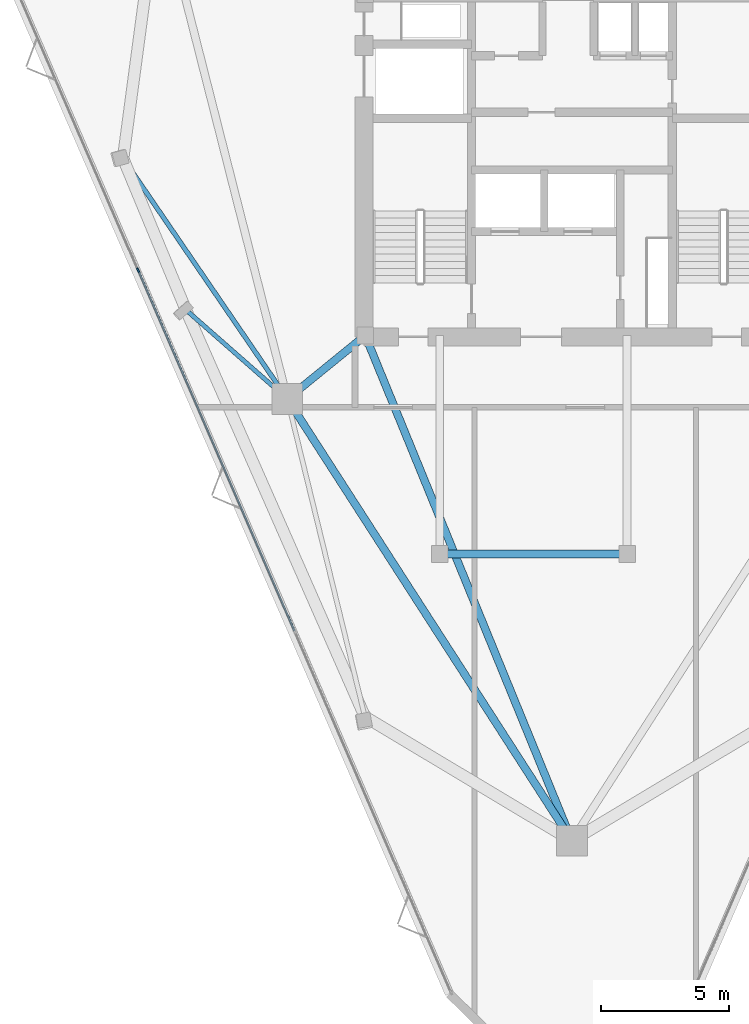
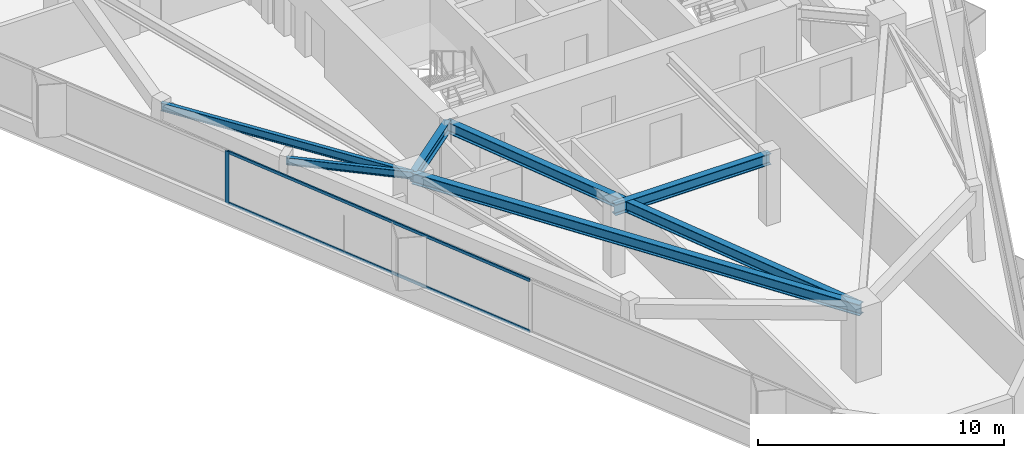
# One storey, part 3 of 11: 6 beams, 3 members, 1 element without a shape of its own.
"""IFC4 building model written with IfcOpenShell, lengths in metres."""

from ifc_helpers import new_model, si_unit, direction, frame, origin, origin_2d, place, context, subcontext, project, spatial, rectangle, i_section, extrude, material, layer, layer_set, material_profile, profile_set, type_object, element, aggregate, save


model = new_model("IFC4")

# Units and contexts
model_context = context("Model", 3, precision=1e-05, world=origin(), true_north=direction((0.0, 1.0)))
body_context = subcontext(model_context, "Body", "Model", "MODEL_VIEW")
ifc_project = project(units=[si_unit("LENGTHUNIT", "METRE"), si_unit("AREAUNIT", "SQUARE_METRE"), si_unit("VOLUMEUNIT", "CUBIC_METRE"), si_unit("PLANEANGLEUNIT", "RADIAN"), si_unit("MASSUNIT", "GRAM", prefix="KILO")], contexts=[model_context])

# Site, building, storey
site_placement = place(None, origin())
site = spatial("IfcSite", under=ifc_project, at=site_placement, CompositionType="ELEMENT")
building_placement = place(site_placement, origin())
building = spatial("IfcBuilding", under=site, at=building_placement, Name="Talyreon Biosciences Tower", CompositionType="ELEMENT")
storey_placement = place(building_placement, frame((0.0, 0.0, 249.85009765625)))
storey = spatial("IfcBuildingStorey", under=building, at=storey_placement, Name="L66", CompositionType="ELEMENT", Elevation=249.85009765625)

# Curtain wall, members
ifc_material_1 = material(Name="Thermally broken aluminium and low-E glazing", Category="aluminium")
ifc_layer = layer(ifc_material_1, 0.175048828125)
ifc_layer_set = layer_set([ifc_layer], Name="Thermally broken aluminium and low-E glazing")
curtain_wall_type = type_object("IfcCurtainWallType", Name="CurtainWall_Zone5CompLab", PredefinedType="NOTDEFINED", material=ifc_layer_set)
curtain_wall_placement = place(storey_placement, origin())
curtain_wall = element("IfcCurtainWall", 1, at=curtain_wall_placement, inside=storey, type_object=curtain_wall_type, Name="L66 Unitised Curtain Wall FCW-L66-00", PredefinedType="NOTDEFINED")
ifc_material_2 = material(Name="Anodised thermally broken aluminium", Category="aluminium")
ifc_material_profile_1 = material_profile(ifc_material_2, rectangle(XDim=0.06494140625, YDim=0.179931640625, at=origin_2d()), Name="ALUM MULLION 65x180")
ifc_profile_set_1 = profile_set([ifc_material_profile_1], Name="Anodised thermally broken aluminium")
member_type_1 = type_object("IfcMemberType", Name="CWMullion_65x180", PredefinedType="MULLION", material=ifc_profile_set_1)
member_1_placement = place(storey_placement, frame((49.099365234375, 63.8994140625, 0.809814453125), z_axis=(0.0, 0.0, 1.0), x_axis=(-0.91758594353, -0.397537465198, 0.0)))
member_1 = element("IfcMember", 2, at=member_1_placement, type_object=member_type_1, Name="CW6 mullion 3", PredefinedType="MULLION", context=body_context, shape_type="SweptSolid", body=[
    extrude(rectangle(XDim=0.06494140625, YDim=0.179931640625, at=origin_2d()), origin(), (0.0, 0.0, 1.0), 2.590087890625),
])
ifc_material_profile_2 = material_profile(ifc_material_2, rectangle(XDim=0.06494140625, YDim=0.139892578125, at=origin_2d()), Name="ALUM TRANSOM 65x140")
ifc_profile_set_2 = profile_set([ifc_material_profile_2], Name="Anodised thermally broken aluminium")
member_type_2 = type_object("IfcMemberType", Name="CWTransom_65x140", PredefinedType="USERDEFINED", material=ifc_profile_set_2)
member_2_placement = place(storey_placement, frame((55.187744140625, 49.846435546875, 0.84228515625), z_axis=(-0.39753705097, 0.917586122991, 0.0), x_axis=(-0.917586122991, -0.39753705097, 0.0)))
member_2 = element("IfcMember", 3, at=member_2_placement, type_object=member_type_2, Name="CW6 transom 2.1", ObjectType="TRANSOM", PredefinedType="USERDEFINED", context=body_context, shape_type="SweptSolid", body=[
    extrude(rectangle(XDim=0.06494140625, YDim=0.139892578125, at=origin_2d()), origin(), (0.0, 0.0, 1.0), 15.28271484375),
])
member_3_placement = place(storey_placement, frame((55.187744140625, 49.846435546875, 3.367431640625), z_axis=(-0.39753705097, 0.917586122991, 0.0), x_axis=(-0.917586122991, -0.39753705097, 0.0)))
member_3 = element("IfcMember", 4, at=member_3_placement, type_object=member_type_2, Name="CW6 transom 2.2", ObjectType="TRANSOM", PredefinedType="USERDEFINED", context=body_context, shape_type="SweptSolid", body=[
    extrude(rectangle(XDim=0.06494140625, YDim=0.139892578125, at=origin_2d()), origin(), (0.0, 0.0, 1.0), 15.28271484375),
])
aggregate(curtain_wall, [member_1, member_2, member_3])

# Beams
ifc_material_3 = material(Name="Steel SM355", Category="steel")
ifc_material_profile_3 = material_profile(ifc_material_3, i_section(OverallWidth=0.300048828125, OverallDepth=0.550048828125, WebThickness=0.014892578125, FlangeThickness=0.029052734375, FilletRadius=0.027099609375, at=origin_2d()), Name="HE550B")
ifc_profile_set_3 = profile_set([ifc_material_profile_3], Name="Steel SM355")
beam_type_1 = type_object("IfcBeamType", Name="SteelBeam_HE550B", PredefinedType="BEAM", material=ifc_profile_set_3)
beam_1_placement = place(storey_placement, frame((54.913818359375, 58.88037109375, 3.125), z_axis=(0.541463723609, -0.840724114092, 0.0), x_axis=(0.840724114092, 0.541463723609, 0.0)))
element("IfcBeam", 5, at=beam_1_placement, inside=storey, type_object=beam_type_1, Name="L66 Mega-Ring Girder 6", PredefinedType="BEAM", context=body_context, shape_type="SweptSolid", body=[
    extrude(i_section(OverallWidth=0.300048828125, OverallDepth=0.550048828125, WebThickness=0.014892578125, FlangeThickness=0.029052734375, FilletRadius=0.027099609375, at=origin_2d()), origin(), (0.0, 0.0, 1.0), 20.474365234375),
])
beam_2_placement = place(storey_placement, frame((57.949951171875, 61.35009765625, 3.125), z_axis=(0.378547014545, -0.925582064314, 0.0), x_axis=(0.925582064314, 0.378547014545, 0.0)))
element("IfcBeam", 6, at=beam_2_placement, inside=storey, type_object=beam_type_1, Name="L66 Radial Primary Girder 1", PredefinedType="BEAM", context=body_context, shape_type="SweptSolid", body=[
    extrude(i_section(OverallWidth=0.300048828125, OverallDepth=0.550048828125, WebThickness=0.014892578125, FlangeThickness=0.029052734375, FilletRadius=0.027099609375, at=origin_2d()), origin(), (0.0, 0.0, 1.0), 21.265625),
])
beam_3_placement = place(storey_placement, frame((57.949951171875, 61.35009765625, 3.125), z_axis=(-0.775755154013, -0.631034025249, 0.0), x_axis=(0.631034025249, -0.775755154013, 0.0)))
element("IfcBeam", 7, at=beam_3_placement, inside=storey, type_object=beam_type_1, Name="L66 Radial Primary Girder 6", PredefinedType="BEAM", context=body_context, shape_type="SweptSolid", body=[
    extrude(i_section(OverallWidth=0.300048828125, OverallDepth=0.550048828125, WebThickness=0.014892578125, FlangeThickness=0.029052734375, FilletRadius=0.027099609375, at=origin_2d()), origin(), (0.0, 0.0, 1.0), 3.913818359375),
])
beam_4_placement = place(storey_placement, frame((60.85009765625, 52.840087890625, 3.125), z_axis=(1.0, 0.0, 0.0), x_axis=(0.0, 1.0, 0.0)))
element("IfcBeam", 8, at=beam_4_placement, inside=storey, type_object=beam_type_1, Name="L66 Crown Shaft Spine Girder S", PredefinedType="BEAM", context=body_context, shape_type="SweptSolid", body=[
    extrude(i_section(OverallWidth=0.300048828125, OverallDepth=0.550048828125, WebThickness=0.014892578125, FlangeThickness=0.029052734375, FilletRadius=0.027099609375, at=origin_2d()), origin(), (0.0, 0.0, 1.0), 7.2998046875),
])
ifc_material_profile_4 = material_profile(ifc_material_3, i_section(OverallWidth=0.169921875, OverallDepth=0.360107421875, WebThickness=0.008056640625, FlangeThickness=0.0126953125, FilletRadius=0.01806640625, at=origin_2d()), Name="IPE360")
ifc_profile_set_4 = profile_set([ifc_material_profile_4], Name="Steel SM355")
beam_type_2 = type_object("IfcBeamType", Name="SteelJoist_IPE360", PredefinedType="JOIST", material=ifc_profile_set_4)
beam_5_placement = place(storey_placement, frame((54.913818359375, 58.88037109375, 3.219970703125), z_axis=(-0.751420024539, 0.659824178643, 0.0), x_axis=(-0.659824178643, -0.751420024539, 0.0)))
element("IfcBeam", 9, at=beam_5_placement, inside=storey, type_object=beam_type_2, Name="L66 Radial Composite Floor Joist PL-SW", PredefinedType="JOIST", context=body_context, shape_type="SweptSolid", body=[
    extrude(i_section(OverallWidth=0.169921875, OverallDepth=0.360107421875, WebThickness=0.008056640625, FlangeThickness=0.0126953125, FilletRadius=0.01806640625, at=origin_2d()), origin(), (0.0, 0.0, 1.0), 5.261474609375),
])
ifc_material_profile_5 = material_profile(ifc_material_3, i_section(OverallWidth=0.179931640625, OverallDepth=0.39990234375, WebThickness=0.008544921875, FlangeThickness=0.013427734375, FilletRadius=0.02099609375, at=origin_2d()), Name="IPE400")
ifc_profile_set_5 = profile_set([ifc_material_profile_5], Name="Steel SM355")
beam_type_3 = type_object("IfcBeamType", Name="SteelJoist_IPE400", PredefinedType="JOIST", material=ifc_profile_set_5)
beam_6_placement = place(storey_placement, frame((54.913818359375, 58.88037109375, 3.199951171875), z_axis=(-0.564012477798, 0.825766265288, 0.0), x_axis=(-0.825766265288, -0.564012477798, 0.0)))
element("IfcBeam", 10, at=beam_6_placement, inside=storey, type_object=beam_type_3, Name="L66 Radial Composite Floor Joist PC-SW1", PredefinedType="JOIST", context=body_context, shape_type="SweptSolid", body=[
    extrude(i_section(OverallWidth=0.179931640625, OverallDepth=0.39990234375, WebThickness=0.008544921875, FlangeThickness=0.013427734375, FilletRadius=0.02099609375, at=origin_2d()), origin(), (0.0, 0.0, 1.0), 11.34375),
])

save(model, "model.ifc")
